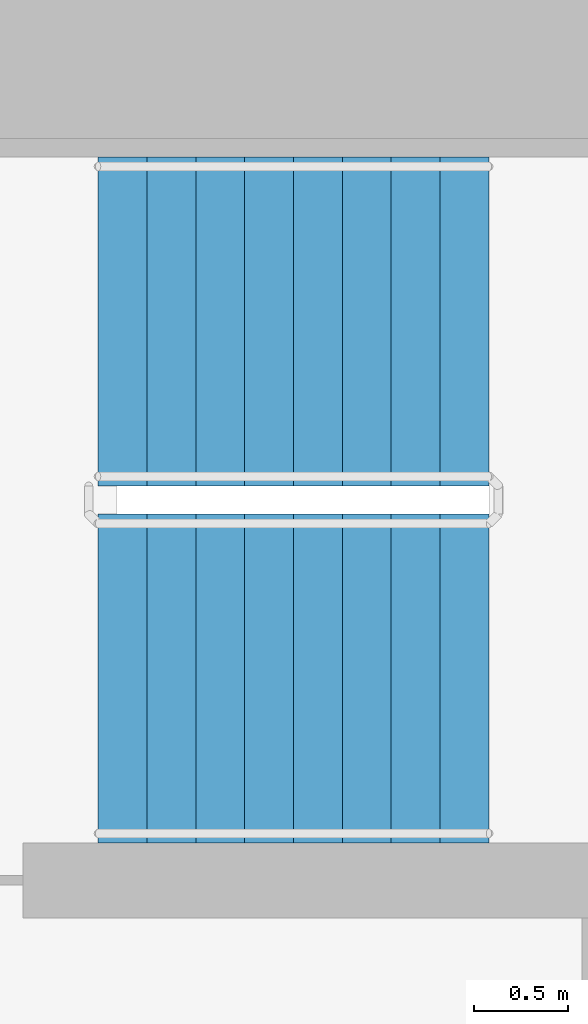
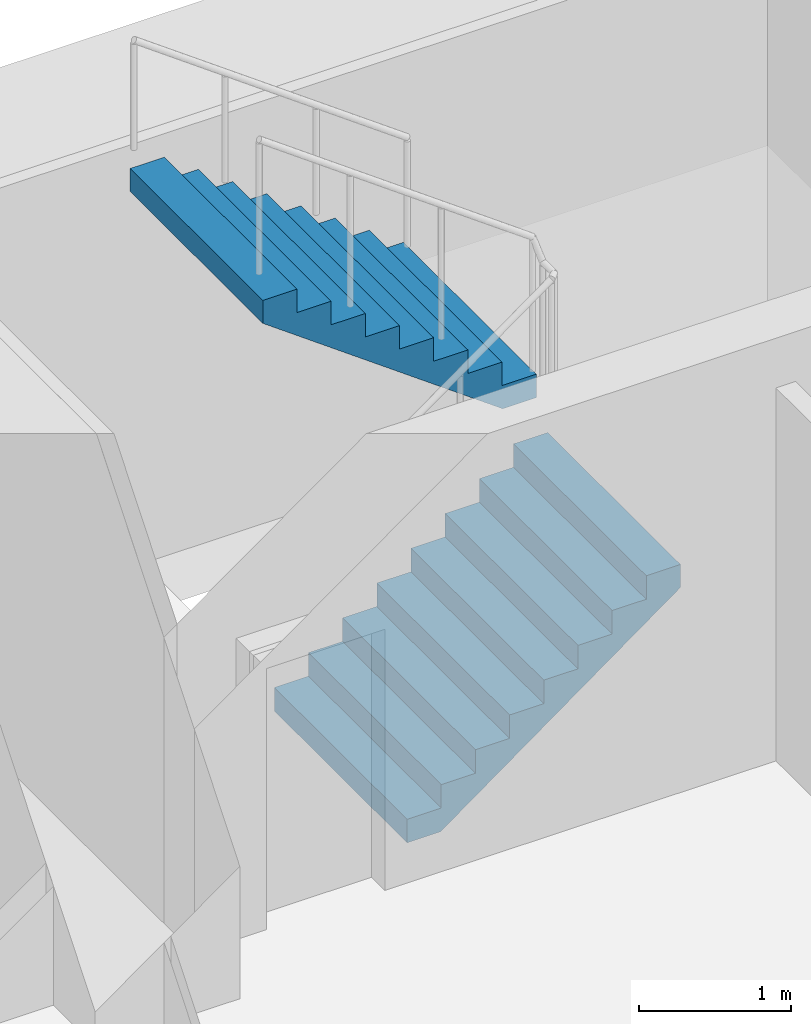
# One storey, part 17 of 21: 2 stair flights, 1 element without a shape of its own.
"""IFC4 building model written with IfcOpenShell, lengths in metres."""

from ifc_helpers import new_model, si_unit, direction, frame, origin, place, context, subcontext, project, spatial, faceted_brep, material, type_object, element, aggregate, save


model = new_model("IFC4")

# Units and contexts
model_context = context("Model", 3, precision=1e-05, world=origin(), true_north=direction((0.0, 1.0)))
body_context = subcontext(model_context, "Body", "Model", "MODEL_VIEW")
ifc_project = project(units=[si_unit("LENGTHUNIT", "METRE"), si_unit("AREAUNIT", "SQUARE_METRE"), si_unit("VOLUMEUNIT", "CUBIC_METRE"), si_unit("PLANEANGLEUNIT", "RADIAN"), si_unit("MASSUNIT", "GRAM", prefix="KILO")], contexts=[model_context])

# Site, building, storey
site_placement = place(None, origin())
site = spatial("IfcSite", under=ifc_project, at=site_placement, CompositionType="ELEMENT")
building_placement = place(site_placement, origin())
building = spatial("IfcBuilding", under=site, at=building_placement, Name="Ipe Terrace Towers", CompositionType="ELEMENT")
storey_placement = place(building_placement, frame((0.0, 0.0, 41.5)))
storey = spatial("IfcBuildingStorey", under=building, at=storey_placement, Name="L10", CompositionType="ELEMENT", Elevation=41.5)

# Stair, stair flights
ifc_material_1 = material(Name="Concrete C30/37", Category="concrete")
stair_type = type_object("IfcStairType", Name="Protected exit stair", PredefinedType="HALF_TURN_STAIR", material=ifc_material_1)
stair_placement = place(storey_placement, origin())
stair = element("IfcStair", 1, at=stair_placement, inside=storey, type_object=stair_type, Name="L10 Exit stair T1-C1", PredefinedType="HALF_TURN_STAIR")
ifc_material_2 = material(Name="Concrete C30/37", Category="concrete")
stair_flight_type = type_object("IfcStairFlightType", Name="Exit stair flight 1750", PredefinedType="STRAIGHT", material=ifc_material_2)
stair_flight_1_placement = place(storey_placement, frame((-26.300048828125, 2.77490234375, 0.0), z_axis=(0.0, 0.0, 1.0), x_axis=(1.0, 0.0, 0.0)))
stair_flight_1 = element("IfcStairFlight", 2, at=stair_flight_1_placement, type_object=stair_flight_type, Name="T1-ST1 flight 1", NumberOfRisers=9, NumberOfTreads=8, PredefinedType="STRAIGHT", RiserHeight=0.188888889, TreadLength=0.26, context=body_context, shape_type="Brep", body=[
    faceted_brep([(0.255126953125, -0.875, 0.0), (2.080078125, -0.875, 1.325927734375), (2.080078125, -0.875, 1.51123046875), (1.820068359375, -0.875, 1.51123046875), (1.820068359375, -0.875, 1.322265625), (1.56005859375, -0.875, 1.322265625), (1.56005859375, -0.875, 1.13330078125), (1.300048828125, -0.875, 1.13330078125), (1.300048828125, -0.875, 0.9443359375), (1.0400390625, -0.875, 0.9443359375), (1.0400390625, -0.875, 0.755615234375), (0.780029296875, -0.875, 0.755615234375), (0.780029296875, -0.875, 0.566650390625), (0.52001953125, -0.875, 0.566650390625), (0.52001953125, -0.875, 0.377685546875), (0.260009765625, -0.875, 0.377685546875), (0.260009765625, -0.875, 0.18896484375), (0.0, -0.875, 0.18896484375), (0.0, -0.875, 0.0), (0.0, 0.875, 0.0), (0.0, 0.875, 0.18896484375), (0.260009765625, 0.875, 0.18896484375), (0.260009765625, 0.875, 0.377685546875), (0.52001953125, 0.875, 0.377685546875), (0.52001953125, 0.875, 0.566650390625), (0.780029296875, 0.875, 0.566650390625), (0.780029296875, 0.875, 0.755615234375), (1.0400390625, 0.875, 0.755615234375), (1.0400390625, 0.875, 0.9443359375), (1.300048828125, 0.875, 0.9443359375), (1.300048828125, 0.875, 1.13330078125), (1.56005859375, 0.875, 1.13330078125), (1.56005859375, 0.875, 1.322265625), (1.820068359375, 0.875, 1.322265625), (1.820068359375, 0.875, 1.51123046875), (2.080078125, 0.875, 1.51123046875), (2.080078125, 0.875, 1.325927734375), (0.255126953125, 0.875, 0.0), (0.0, -0.300048828125, 0.18896484375), (0.0, -0.1201171875, 0.18896484375), (0.0, -0.06005859375, 0.18896484375), (0.0, -0.030029296875, 0.18896484375), (0.0, -0.010009765625, 0.18896484375), (0.0, 0.0, 0.18896484375), (0.0, 0.010009765625, 0.18896484375), (0.0, 0.030029296875, 0.18896484375), (0.0, 0.06005859375, 0.18896484375), (0.0, 0.1201171875, 0.18896484375), (0.0, 0.300048828125, 0.18896484375), (0.0, 0.300048828125, 0.0), (0.0, 0.1201171875, 0.0), (0.0, 0.06005859375, 0.0), (0.0, 0.030029296875, 0.0), (0.0, 0.010009765625, 0.0), (0.0, 0.0, 0.0), (0.0, -0.010009765625, 0.0), (0.0, -0.030029296875, 0.0), (0.0, -0.06005859375, 0.0), (0.0, -0.1201171875, 0.0), (0.0, -0.300048828125, 0.0), (0.260009765625, -0.300048828125, 0.18896484375), (0.260009765625, -0.1201171875, 0.18896484375), (0.260009765625, -0.06005859375, 0.18896484375), (0.260009765625, -0.030029296875, 0.18896484375), (0.260009765625, -0.010009765625, 0.18896484375), (0.260009765625, 0.0, 0.18896484375), (0.260009765625, 0.010009765625, 0.18896484375), (0.260009765625, 0.030029296875, 0.18896484375), (0.260009765625, 0.06005859375, 0.18896484375), (0.260009765625, 0.1201171875, 0.18896484375), (0.260009765625, 0.300048828125, 0.18896484375), (0.260009765625, -0.300048828125, 0.377685546875), (0.260009765625, -0.1201171875, 0.377685546875), (0.260009765625, -0.06005859375, 0.377685546875), (0.260009765625, -0.030029296875, 0.377685546875), (0.260009765625, -0.010009765625, 0.377685546875), (0.260009765625, 0.0, 0.377685546875), (0.260009765625, 0.010009765625, 0.377685546875), (0.260009765625, 0.030029296875, 0.377685546875), (0.260009765625, 0.06005859375, 0.377685546875), (0.260009765625, 0.1201171875, 0.377685546875), (0.260009765625, 0.300048828125, 0.377685546875), (0.52001953125, -0.300048828125, 0.377685546875), (0.52001953125, -0.1201171875, 0.377685546875), (0.52001953125, -0.06005859375, 0.377685546875), (0.52001953125, -0.030029296875, 0.377685546875), (0.52001953125, -0.010009765625, 0.377685546875), (0.52001953125, 0.0, 0.377685546875), (0.52001953125, 0.010009765625, 0.377685546875), (0.52001953125, 0.030029296875, 0.377685546875), (0.52001953125, 0.06005859375, 0.377685546875), (0.52001953125, 0.1201171875, 0.377685546875), (0.52001953125, 0.300048828125, 0.377685546875), (0.52001953125, -0.300048828125, 0.566650390625), (0.52001953125, -0.1201171875, 0.566650390625), (0.52001953125, -0.06005859375, 0.566650390625), (0.52001953125, -0.030029296875, 0.566650390625), (0.52001953125, -0.010009765625, 0.566650390625), (0.52001953125, 0.0, 0.566650390625), (0.52001953125, 0.010009765625, 0.566650390625), (0.52001953125, 0.030029296875, 0.566650390625), (0.52001953125, 0.06005859375, 0.566650390625), (0.52001953125, 0.1201171875, 0.566650390625), (0.52001953125, 0.300048828125, 0.566650390625), (0.780029296875, -0.300048828125, 0.566650390625), (0.780029296875, -0.1201171875, 0.566650390625), (0.780029296875, -0.06005859375, 0.566650390625), (0.780029296875, -0.030029296875, 0.566650390625), (0.780029296875, -0.010009765625, 0.566650390625), (0.780029296875, 0.0, 0.566650390625), (0.780029296875, 0.010009765625, 0.566650390625), (0.780029296875, 0.030029296875, 0.566650390625), (0.780029296875, 0.06005859375, 0.566650390625), (0.780029296875, 0.1201171875, 0.566650390625), (0.780029296875, 0.300048828125, 0.566650390625), (0.780029296875, -0.300048828125, 0.755615234375), (0.780029296875, -0.1201171875, 0.755615234375), (0.780029296875, -0.06005859375, 0.755615234375), (0.780029296875, -0.030029296875, 0.755615234375), (0.780029296875, -0.010009765625, 0.755615234375), (0.780029296875, 0.0, 0.755615234375), (0.780029296875, 0.010009765625, 0.755615234375), (0.780029296875, 0.030029296875, 0.755615234375), (0.780029296875, 0.06005859375, 0.755615234375), (0.780029296875, 0.1201171875, 0.755615234375), (0.780029296875, 0.300048828125, 0.755615234375), (1.0400390625, -0.300048828125, 0.755615234375), (1.0400390625, -0.1201171875, 0.755615234375), (1.0400390625, -0.06005859375, 0.755615234375), (1.0400390625, -0.030029296875, 0.755615234375), (1.0400390625, -0.010009765625, 0.755615234375), (1.0400390625, 0.0, 0.755615234375), (1.0400390625, 0.010009765625, 0.755615234375), (1.0400390625, 0.030029296875, 0.755615234375), (1.0400390625, 0.06005859375, 0.755615234375), (1.0400390625, 0.1201171875, 0.755615234375), (1.0400390625, 0.300048828125, 0.755615234375), (1.0400390625, -0.300048828125, 0.9443359375), (1.0400390625, -0.1201171875, 0.9443359375), (1.0400390625, -0.06005859375, 0.9443359375), (1.0400390625, -0.030029296875, 0.9443359375), (1.0400390625, -0.010009765625, 0.9443359375), (1.0400390625, 0.0, 0.9443359375), (1.0400390625, 0.010009765625, 0.9443359375), (1.0400390625, 0.030029296875, 0.9443359375), (1.0400390625, 0.06005859375, 0.9443359375), (1.0400390625, 0.1201171875, 0.9443359375), (1.0400390625, 0.300048828125, 0.9443359375), (1.300048828125, -0.300048828125, 0.9443359375), (1.300048828125, -0.1201171875, 0.9443359375), (1.300048828125, -0.06005859375, 0.9443359375), (1.300048828125, -0.030029296875, 0.9443359375), (1.300048828125, -0.010009765625, 0.9443359375), (1.300048828125, 0.0, 0.9443359375), (1.300048828125, 0.010009765625, 0.9443359375), (1.300048828125, 0.030029296875, 0.9443359375), (1.300048828125, 0.06005859375, 0.9443359375), (1.300048828125, 0.1201171875, 0.9443359375), (1.300048828125, 0.300048828125, 0.9443359375), (1.300048828125, -0.300048828125, 1.13330078125), (1.300048828125, -0.1201171875, 1.13330078125), (1.300048828125, -0.06005859375, 1.13330078125), (1.300048828125, -0.030029296875, 1.13330078125), (1.300048828125, -0.010009765625, 1.13330078125), (1.300048828125, 0.0, 1.13330078125), (1.300048828125, 0.010009765625, 1.13330078125), (1.300048828125, 0.030029296875, 1.13330078125), (1.300048828125, 0.06005859375, 1.13330078125), (1.300048828125, 0.1201171875, 1.13330078125), (1.300048828125, 0.300048828125, 1.13330078125), (1.56005859375, -0.300048828125, 1.13330078125), (1.56005859375, -0.1201171875, 1.13330078125), (1.56005859375, -0.06005859375, 1.13330078125), (1.56005859375, -0.030029296875, 1.13330078125), (1.56005859375, -0.010009765625, 1.13330078125), (1.56005859375, 0.0, 1.13330078125), (1.56005859375, 0.010009765625, 1.13330078125), (1.56005859375, 0.030029296875, 1.13330078125), (1.56005859375, 0.06005859375, 1.13330078125), (1.56005859375, 0.1201171875, 1.13330078125), (1.56005859375, 0.300048828125, 1.13330078125), (1.56005859375, -0.300048828125, 1.322265625), (1.56005859375, -0.1201171875, 1.322265625), (1.56005859375, -0.06005859375, 1.322265625), (1.56005859375, -0.030029296875, 1.322265625), (1.56005859375, -0.010009765625, 1.322265625), (1.56005859375, 0.0, 1.322265625), (1.56005859375, 0.010009765625, 1.322265625), (1.56005859375, 0.030029296875, 1.322265625), (1.56005859375, 0.06005859375, 1.322265625), (1.56005859375, 0.1201171875, 1.322265625), (1.56005859375, 0.300048828125, 1.322265625), (1.820068359375, -0.300048828125, 1.322265625), (1.820068359375, -0.1201171875, 1.322265625), (1.820068359375, -0.06005859375, 1.322265625), (1.820068359375, -0.030029296875, 1.322265625), (1.820068359375, -0.010009765625, 1.322265625), (1.820068359375, 0.0, 1.322265625), (1.820068359375, 0.010009765625, 1.322265625), (1.820068359375, 0.030029296875, 1.322265625), (1.820068359375, 0.06005859375, 1.322265625), (1.820068359375, 0.1201171875, 1.322265625), (1.820068359375, 0.300048828125, 1.322265625), (1.820068359375, -0.300048828125, 1.51123046875), (1.820068359375, -0.1201171875, 1.51123046875), (1.820068359375, -0.06005859375, 1.51123046875), (1.820068359375, -0.030029296875, 1.51123046875), (1.820068359375, -0.010009765625, 1.51123046875), (1.820068359375, 0.0, 1.51123046875), (1.820068359375, 0.010009765625, 1.51123046875), (1.820068359375, 0.030029296875, 1.51123046875), (1.820068359375, 0.06005859375, 1.51123046875), (1.820068359375, 0.1201171875, 1.51123046875), (1.820068359375, 0.300048828125, 1.51123046875), (2.080078125, -0.300048828125, 1.51123046875), (2.080078125, -0.1201171875, 1.51123046875), (2.080078125, -0.06005859375, 1.51123046875), (2.080078125, -0.030029296875, 1.51123046875), (2.080078125, -0.010009765625, 1.51123046875), (2.080078125, 0.0, 1.51123046875), (2.080078125, 0.010009765625, 1.51123046875), (2.080078125, 0.030029296875, 1.51123046875), (2.080078125, 0.06005859375, 1.51123046875), (2.080078125, 0.1201171875, 1.51123046875), (2.080078125, 0.300048828125, 1.51123046875), (2.080078125, -0.300048828125, 1.325927734375), (2.080078125, -0.1201171875, 1.325927734375), (2.080078125, -0.06005859375, 1.325927734375), (2.080078125, -0.030029296875, 1.325927734375), (2.080078125, -0.010009765625, 1.325927734375), (2.080078125, 0.0, 1.325927734375), (2.080078125, 0.010009765625, 1.325927734375), (2.080078125, 0.030029296875, 1.325927734375), (2.080078125, 0.06005859375, 1.325927734375), (2.080078125, 0.1201171875, 1.325927734375), (2.080078125, 0.300048828125, 1.325927734375), (0.255126953125, -0.300048828125, 0.0), (0.255126953125, -0.1201171875, 0.0), (0.255126953125, -0.06005859375, 0.0), (0.255126953125, -0.030029296875, 0.0), (0.255126953125, -0.010009765625, 0.0), (0.255126953125, 0.0, 0.0), (0.255126953125, 0.010009765625, 0.0), (0.255126953125, 0.030029296875, 0.0), (0.255126953125, 0.06005859375, 0.0), (0.255126953125, 0.1201171875, 0.0), (0.255126953125, 0.300048828125, 0.0)], [[[0, 1, 2, 3, 4, 5, 6, 7, 8, 9, 10, 11, 12, 13, 14, 15, 16, 17, 18]], [[19, 20, 21, 22, 23, 24, 25, 26, 27, 28, 29, 30, 31, 32, 33, 34, 35, 36, 37]], [[17, 38, 39, 40, 41, 42, 43, 44, 45, 46, 47, 48, 20, 19, 49, 50, 51, 52, 53, 54, 55, 56, 57, 58, 59, 18]], [[16, 60, 61, 62, 63, 64, 65, 66, 67, 68, 69, 70, 21, 20, 48, 47, 46, 45, 44, 43, 42, 41, 40, 39, 38, 17]], [[15, 71, 72, 73, 74, 75, 76, 77, 78, 79, 80, 81, 22, 21, 70, 69, 68, 67, 66, 65, 64, 63, 62, 61, 60, 16]], [[14, 82, 83, 84, 85, 86, 87, 88, 89, 90, 91, 92, 23, 22, 81, 80, 79, 78, 77, 76, 75, 74, 73, 72, 71, 15]], [[13, 93, 94, 95, 96, 97, 98, 99, 100, 101, 102, 103, 24, 23, 92, 91, 90, 89, 88, 87, 86, 85, 84, 83, 82, 14]], [[12, 104, 105, 106, 107, 108, 109, 110, 111, 112, 113, 114, 25, 24, 103, 102, 101, 100, 99, 98, 97, 96, 95, 94, 93, 13]], [[11, 115, 116, 117, 118, 119, 120, 121, 122, 123, 124, 125, 26, 25, 114, 113, 112, 111, 110, 109, 108, 107, 106, 105, 104, 12]], [[10, 126, 127, 128, 129, 130, 131, 132, 133, 134, 135, 136, 27, 26, 125, 124, 123, 122, 121, 120, 119, 118, 117, 116, 115, 11]], [[9, 137, 138, 139, 140, 141, 142, 143, 144, 145, 146, 147, 28, 27, 136, 135, 134, 133, 132, 131, 130, 129, 128, 127, 126, 10]], [[8, 148, 149, 150, 151, 152, 153, 154, 155, 156, 157, 158, 29, 28, 147, 146, 145, 144, 143, 142, 141, 140, 139, 138, 137, 9]], [[7, 159, 160, 161, 162, 163, 164, 165, 166, 167, 168, 169, 30, 29, 158, 157, 156, 155, 154, 153, 152, 151, 150, 149, 148, 8]], [[6, 170, 171, 172, 173, 174, 175, 176, 177, 178, 179, 180, 31, 30, 169, 168, 167, 166, 165, 164, 163, 162, 161, 160, 159, 7]], [[5, 181, 182, 183, 184, 185, 186, 187, 188, 189, 190, 191, 32, 31, 180, 179, 178, 177, 176, 175, 174, 173, 172, 171, 170, 6]], [[4, 192, 193, 194, 195, 196, 197, 198, 199, 200, 201, 202, 33, 32, 191, 190, 189, 188, 187, 186, 185, 184, 183, 182, 181, 5]], [[3, 203, 204, 205, 206, 207, 208, 209, 210, 211, 212, 213, 34, 33, 202, 201, 200, 199, 198, 197, 196, 195, 194, 193, 192, 4]], [[2, 214, 215, 216, 217, 218, 219, 220, 221, 222, 223, 224, 35, 34, 213, 212, 211, 210, 209, 208, 207, 206, 205, 204, 203, 3]], [[1, 225, 226, 227, 228, 229, 230, 231, 232, 233, 234, 235, 36, 35, 224, 223, 222, 221, 220, 219, 218, 217, 216, 215, 214, 2]], [[0, 236, 237, 238, 239, 240, 241, 242, 243, 244, 245, 246, 37, 36, 235, 234, 233, 232, 231, 230, 229, 228, 227, 226, 225, 1]], [[18, 59, 58, 57, 56, 55, 54, 53, 52, 51, 50, 49, 19, 37, 246, 245, 244, 243, 242, 241, 240, 239, 238, 237, 236, 0]]]),
])
stair_flight_2_placement = place(storey_placement, frame((-24.219970703125, 4.675048828125, 1.699951171875), z_axis=(0.0, 0.0, 1.0), x_axis=(-1.0, 0.0, 0.0)))
stair_flight_2 = element("IfcStairFlight", 3, at=stair_flight_2_placement, type_object=stair_flight_type, Name="T1-ST1 flight 2", NumberOfRisers=9, NumberOfTreads=8, PredefinedType="STRAIGHT", RiserHeight=0.188888889, TreadLength=0.26, context=body_context, shape_type="Brep", body=[
    faceted_brep([(0.255126953125, -0.875, 0.0), (2.080078125, -0.875, 1.325927734375), (2.080078125, -0.875, 1.51123046875), (1.820068359375, -0.875, 1.51123046875), (1.820068359375, -0.875, 1.322265625), (1.56005859375, -0.875, 1.322265625), (1.56005859375, -0.875, 1.13330078125), (1.300048828125, -0.875, 1.13330078125), (1.300048828125, -0.875, 0.9443359375), (1.0400390625, -0.875, 0.9443359375), (1.0400390625, -0.875, 0.755615234375), (0.780029296875, -0.875, 0.755615234375), (0.780029296875, -0.875, 0.566650390625), (0.52001953125, -0.875, 0.566650390625), (0.52001953125, -0.875, 0.377685546875), (0.260009765625, -0.875, 0.377685546875), (0.260009765625, -0.875, 0.18896484375), (0.0, -0.875, 0.18896484375), (0.0, -0.875, 0.0), (0.0, 0.875, 0.0), (0.0, 0.875, 0.18896484375), (0.260009765625, 0.875, 0.18896484375), (0.260009765625, 0.875, 0.377685546875), (0.52001953125, 0.875, 0.377685546875), (0.52001953125, 0.875, 0.566650390625), (0.780029296875, 0.875, 0.566650390625), (0.780029296875, 0.875, 0.755615234375), (1.0400390625, 0.875, 0.755615234375), (1.0400390625, 0.875, 0.9443359375), (1.300048828125, 0.875, 0.9443359375), (1.300048828125, 0.875, 1.13330078125), (1.56005859375, 0.875, 1.13330078125), (1.56005859375, 0.875, 1.322265625), (1.820068359375, 0.875, 1.322265625), (1.820068359375, 0.875, 1.51123046875), (2.080078125, 0.875, 1.51123046875), (2.080078125, 0.875, 1.325927734375), (0.255126953125, 0.875, 0.0), (0.0, -0.300048828125, 0.18896484375), (0.0, -0.1201171875, 0.18896484375), (0.0, -0.06005859375, 0.18896484375), (0.0, -0.030029296875, 0.18896484375), (0.0, -0.010009765625, 0.18896484375), (0.0, 0.0, 0.18896484375), (0.0, 0.010009765625, 0.18896484375), (0.0, 0.030029296875, 0.18896484375), (0.0, 0.06005859375, 0.18896484375), (0.0, 0.1201171875, 0.18896484375), (0.0, 0.300048828125, 0.18896484375), (0.0, 0.300048828125, 0.0), (0.0, 0.1201171875, 0.0), (0.0, 0.06005859375, 0.0), (0.0, 0.030029296875, 0.0), (0.0, 0.010009765625, 0.0), (0.0, 0.0, 0.0), (0.0, -0.010009765625, 0.0), (0.0, -0.030029296875, 0.0), (0.0, -0.06005859375, 0.0), (0.0, -0.1201171875, 0.0), (0.0, -0.300048828125, 0.0), (0.260009765625, -0.300048828125, 0.18896484375), (0.260009765625, -0.1201171875, 0.18896484375), (0.260009765625, -0.06005859375, 0.18896484375), (0.260009765625, -0.030029296875, 0.18896484375), (0.260009765625, -0.010009765625, 0.18896484375), (0.260009765625, 0.0, 0.18896484375), (0.260009765625, 0.010009765625, 0.18896484375), (0.260009765625, 0.030029296875, 0.18896484375), (0.260009765625, 0.06005859375, 0.18896484375), (0.260009765625, 0.1201171875, 0.18896484375), (0.260009765625, 0.300048828125, 0.18896484375), (0.260009765625, -0.300048828125, 0.377685546875), (0.260009765625, -0.1201171875, 0.377685546875), (0.260009765625, -0.06005859375, 0.377685546875), (0.260009765625, -0.030029296875, 0.377685546875), (0.260009765625, -0.010009765625, 0.377685546875), (0.260009765625, 0.0, 0.377685546875), (0.260009765625, 0.010009765625, 0.377685546875), (0.260009765625, 0.030029296875, 0.377685546875), (0.260009765625, 0.06005859375, 0.377685546875), (0.260009765625, 0.1201171875, 0.377685546875), (0.260009765625, 0.300048828125, 0.377685546875), (0.52001953125, -0.300048828125, 0.377685546875), (0.52001953125, -0.1201171875, 0.377685546875), (0.52001953125, -0.06005859375, 0.377685546875), (0.52001953125, -0.030029296875, 0.377685546875), (0.52001953125, -0.010009765625, 0.377685546875), (0.52001953125, 0.0, 0.377685546875), (0.52001953125, 0.010009765625, 0.377685546875), (0.52001953125, 0.030029296875, 0.377685546875), (0.52001953125, 0.06005859375, 0.377685546875), (0.52001953125, 0.1201171875, 0.377685546875), (0.52001953125, 0.300048828125, 0.377685546875), (0.52001953125, -0.300048828125, 0.566650390625), (0.52001953125, -0.1201171875, 0.566650390625), (0.52001953125, -0.06005859375, 0.566650390625), (0.52001953125, -0.030029296875, 0.566650390625), (0.52001953125, -0.010009765625, 0.566650390625), (0.52001953125, 0.0, 0.566650390625), (0.52001953125, 0.010009765625, 0.566650390625), (0.52001953125, 0.030029296875, 0.566650390625), (0.52001953125, 0.06005859375, 0.566650390625), (0.52001953125, 0.1201171875, 0.566650390625), (0.52001953125, 0.300048828125, 0.566650390625), (0.780029296875, -0.300048828125, 0.566650390625), (0.780029296875, -0.1201171875, 0.566650390625), (0.780029296875, -0.06005859375, 0.566650390625), (0.780029296875, -0.030029296875, 0.566650390625), (0.780029296875, -0.010009765625, 0.566650390625), (0.780029296875, 0.0, 0.566650390625), (0.780029296875, 0.010009765625, 0.566650390625), (0.780029296875, 0.030029296875, 0.566650390625), (0.780029296875, 0.06005859375, 0.566650390625), (0.780029296875, 0.1201171875, 0.566650390625), (0.780029296875, 0.300048828125, 0.566650390625), (0.780029296875, -0.300048828125, 0.755615234375), (0.780029296875, -0.1201171875, 0.755615234375), (0.780029296875, -0.06005859375, 0.755615234375), (0.780029296875, -0.030029296875, 0.755615234375), (0.780029296875, -0.010009765625, 0.755615234375), (0.780029296875, 0.0, 0.755615234375), (0.780029296875, 0.010009765625, 0.755615234375), (0.780029296875, 0.030029296875, 0.755615234375), (0.780029296875, 0.06005859375, 0.755615234375), (0.780029296875, 0.1201171875, 0.755615234375), (0.780029296875, 0.300048828125, 0.755615234375), (1.0400390625, -0.300048828125, 0.755615234375), (1.0400390625, -0.1201171875, 0.755615234375), (1.0400390625, -0.06005859375, 0.755615234375), (1.0400390625, -0.030029296875, 0.755615234375), (1.0400390625, -0.010009765625, 0.755615234375), (1.0400390625, 0.0, 0.755615234375), (1.0400390625, 0.010009765625, 0.755615234375), (1.0400390625, 0.030029296875, 0.755615234375), (1.0400390625, 0.06005859375, 0.755615234375), (1.0400390625, 0.1201171875, 0.755615234375), (1.0400390625, 0.300048828125, 0.755615234375), (1.0400390625, -0.300048828125, 0.9443359375), (1.0400390625, -0.1201171875, 0.9443359375), (1.0400390625, -0.06005859375, 0.9443359375), (1.0400390625, -0.030029296875, 0.9443359375), (1.0400390625, -0.010009765625, 0.9443359375), (1.0400390625, 0.0, 0.9443359375), (1.0400390625, 0.010009765625, 0.9443359375), (1.0400390625, 0.030029296875, 0.9443359375), (1.0400390625, 0.06005859375, 0.9443359375), (1.0400390625, 0.1201171875, 0.9443359375), (1.0400390625, 0.300048828125, 0.9443359375), (1.300048828125, -0.300048828125, 0.9443359375), (1.300048828125, -0.1201171875, 0.9443359375), (1.300048828125, -0.06005859375, 0.9443359375), (1.300048828125, -0.030029296875, 0.9443359375), (1.300048828125, -0.010009765625, 0.9443359375), (1.300048828125, 0.0, 0.9443359375), (1.300048828125, 0.010009765625, 0.9443359375), (1.300048828125, 0.030029296875, 0.9443359375), (1.300048828125, 0.06005859375, 0.9443359375), (1.300048828125, 0.1201171875, 0.9443359375), (1.300048828125, 0.300048828125, 0.9443359375), (1.300048828125, -0.300048828125, 1.13330078125), (1.300048828125, -0.1201171875, 1.13330078125), (1.300048828125, -0.06005859375, 1.13330078125), (1.300048828125, -0.030029296875, 1.13330078125), (1.300048828125, -0.010009765625, 1.13330078125), (1.300048828125, 0.0, 1.13330078125), (1.300048828125, 0.010009765625, 1.13330078125), (1.300048828125, 0.030029296875, 1.13330078125), (1.300048828125, 0.06005859375, 1.13330078125), (1.300048828125, 0.1201171875, 1.13330078125), (1.300048828125, 0.300048828125, 1.13330078125), (1.56005859375, -0.300048828125, 1.13330078125), (1.56005859375, -0.1201171875, 1.13330078125), (1.56005859375, -0.06005859375, 1.13330078125), (1.56005859375, -0.030029296875, 1.13330078125), (1.56005859375, -0.010009765625, 1.13330078125), (1.56005859375, 0.0, 1.13330078125), (1.56005859375, 0.010009765625, 1.13330078125), (1.56005859375, 0.030029296875, 1.13330078125), (1.56005859375, 0.06005859375, 1.13330078125), (1.56005859375, 0.1201171875, 1.13330078125), (1.56005859375, 0.300048828125, 1.13330078125), (1.56005859375, -0.300048828125, 1.322265625), (1.56005859375, -0.1201171875, 1.322265625), (1.56005859375, -0.06005859375, 1.322265625), (1.56005859375, -0.030029296875, 1.322265625), (1.56005859375, -0.010009765625, 1.322265625), (1.56005859375, 0.0, 1.322265625), (1.56005859375, 0.010009765625, 1.322265625), (1.56005859375, 0.030029296875, 1.322265625), (1.56005859375, 0.06005859375, 1.322265625), (1.56005859375, 0.1201171875, 1.322265625), (1.56005859375, 0.300048828125, 1.322265625), (1.820068359375, -0.300048828125, 1.322265625), (1.820068359375, -0.1201171875, 1.322265625), (1.820068359375, -0.06005859375, 1.322265625), (1.820068359375, -0.030029296875, 1.322265625), (1.820068359375, -0.010009765625, 1.322265625), (1.820068359375, 0.0, 1.322265625), (1.820068359375, 0.010009765625, 1.322265625), (1.820068359375, 0.030029296875, 1.322265625), (1.820068359375, 0.06005859375, 1.322265625), (1.820068359375, 0.1201171875, 1.322265625), (1.820068359375, 0.300048828125, 1.322265625), (1.820068359375, -0.300048828125, 1.51123046875), (1.820068359375, -0.1201171875, 1.51123046875), (1.820068359375, -0.06005859375, 1.51123046875), (1.820068359375, -0.030029296875, 1.51123046875), (1.820068359375, -0.010009765625, 1.51123046875), (1.820068359375, 0.0, 1.51123046875), (1.820068359375, 0.010009765625, 1.51123046875), (1.820068359375, 0.030029296875, 1.51123046875), (1.820068359375, 0.06005859375, 1.51123046875), (1.820068359375, 0.1201171875, 1.51123046875), (1.820068359375, 0.300048828125, 1.51123046875), (2.080078125, -0.300048828125, 1.51123046875), (2.080078125, -0.1201171875, 1.51123046875), (2.080078125, -0.06005859375, 1.51123046875), (2.080078125, -0.030029296875, 1.51123046875), (2.080078125, -0.010009765625, 1.51123046875), (2.080078125, 0.0, 1.51123046875), (2.080078125, 0.010009765625, 1.51123046875), (2.080078125, 0.030029296875, 1.51123046875), (2.080078125, 0.06005859375, 1.51123046875), (2.080078125, 0.1201171875, 1.51123046875), (2.080078125, 0.300048828125, 1.51123046875), (2.080078125, -0.300048828125, 1.325927734375), (2.080078125, -0.1201171875, 1.325927734375), (2.080078125, -0.06005859375, 1.325927734375), (2.080078125, -0.030029296875, 1.325927734375), (2.080078125, -0.010009765625, 1.325927734375), (2.080078125, 0.0, 1.325927734375), (2.080078125, 0.010009765625, 1.325927734375), (2.080078125, 0.030029296875, 1.325927734375), (2.080078125, 0.06005859375, 1.325927734375), (2.080078125, 0.1201171875, 1.325927734375), (2.080078125, 0.300048828125, 1.325927734375), (0.255126953125, -0.300048828125, 0.0), (0.255126953125, -0.1201171875, 0.0), (0.255126953125, -0.06005859375, 0.0), (0.255126953125, -0.030029296875, 0.0), (0.255126953125, -0.010009765625, 0.0), (0.255126953125, 0.0, 0.0), (0.255126953125, 0.010009765625, 0.0), (0.255126953125, 0.030029296875, 0.0), (0.255126953125, 0.06005859375, 0.0), (0.255126953125, 0.1201171875, 0.0), (0.255126953125, 0.300048828125, 0.0)], [[[0, 1, 2, 3, 4, 5, 6, 7, 8, 9, 10, 11, 12, 13, 14, 15, 16, 17, 18]], [[19, 20, 21, 22, 23, 24, 25, 26, 27, 28, 29, 30, 31, 32, 33, 34, 35, 36, 37]], [[17, 38, 39, 40, 41, 42, 43, 44, 45, 46, 47, 48, 20, 19, 49, 50, 51, 52, 53, 54, 55, 56, 57, 58, 59, 18]], [[16, 60, 61, 62, 63, 64, 65, 66, 67, 68, 69, 70, 21, 20, 48, 47, 46, 45, 44, 43, 42, 41, 40, 39, 38, 17]], [[15, 71, 72, 73, 74, 75, 76, 77, 78, 79, 80, 81, 22, 21, 70, 69, 68, 67, 66, 65, 64, 63, 62, 61, 60, 16]], [[14, 82, 83, 84, 85, 86, 87, 88, 89, 90, 91, 92, 23, 22, 81, 80, 79, 78, 77, 76, 75, 74, 73, 72, 71, 15]], [[13, 93, 94, 95, 96, 97, 98, 99, 100, 101, 102, 103, 24, 23, 92, 91, 90, 89, 88, 87, 86, 85, 84, 83, 82, 14]], [[12, 104, 105, 106, 107, 108, 109, 110, 111, 112, 113, 114, 25, 24, 103, 102, 101, 100, 99, 98, 97, 96, 95, 94, 93, 13]], [[11, 115, 116, 117, 118, 119, 120, 121, 122, 123, 124, 125, 26, 25, 114, 113, 112, 111, 110, 109, 108, 107, 106, 105, 104, 12]], [[10, 126, 127, 128, 129, 130, 131, 132, 133, 134, 135, 136, 27, 26, 125, 124, 123, 122, 121, 120, 119, 118, 117, 116, 115, 11]], [[9, 137, 138, 139, 140, 141, 142, 143, 144, 145, 146, 147, 28, 27, 136, 135, 134, 133, 132, 131, 130, 129, 128, 127, 126, 10]], [[8, 148, 149, 150, 151, 152, 153, 154, 155, 156, 157, 158, 29, 28, 147, 146, 145, 144, 143, 142, 141, 140, 139, 138, 137, 9]], [[7, 159, 160, 161, 162, 163, 164, 165, 166, 167, 168, 169, 30, 29, 158, 157, 156, 155, 154, 153, 152, 151, 150, 149, 148, 8]], [[6, 170, 171, 172, 173, 174, 175, 176, 177, 178, 179, 180, 31, 30, 169, 168, 167, 166, 165, 164, 163, 162, 161, 160, 159, 7]], [[5, 181, 182, 183, 184, 185, 186, 187, 188, 189, 190, 191, 32, 31, 180, 179, 178, 177, 176, 175, 174, 173, 172, 171, 170, 6]], [[4, 192, 193, 194, 195, 196, 197, 198, 199, 200, 201, 202, 33, 32, 191, 190, 189, 188, 187, 186, 185, 184, 183, 182, 181, 5]], [[3, 203, 204, 205, 206, 207, 208, 209, 210, 211, 212, 213, 34, 33, 202, 201, 200, 199, 198, 197, 196, 195, 194, 193, 192, 4]], [[2, 214, 215, 216, 217, 218, 219, 220, 221, 222, 223, 224, 35, 34, 213, 212, 211, 210, 209, 208, 207, 206, 205, 204, 203, 3]], [[1, 225, 226, 227, 228, 229, 230, 231, 232, 233, 234, 235, 36, 35, 224, 223, 222, 221, 220, 219, 218, 217, 216, 215, 214, 2]], [[0, 236, 237, 238, 239, 240, 241, 242, 243, 244, 245, 246, 37, 36, 235, 234, 233, 232, 231, 230, 229, 228, 227, 226, 225, 1]], [[18, 59, 58, 57, 56, 55, 54, 53, 52, 51, 50, 49, 19, 37, 246, 245, 244, 243, 242, 241, 240, 239, 238, 237, 236, 0]]]),
])
aggregate(stair, [stair_flight_1, stair_flight_2])

save(model, "model.ifc")
